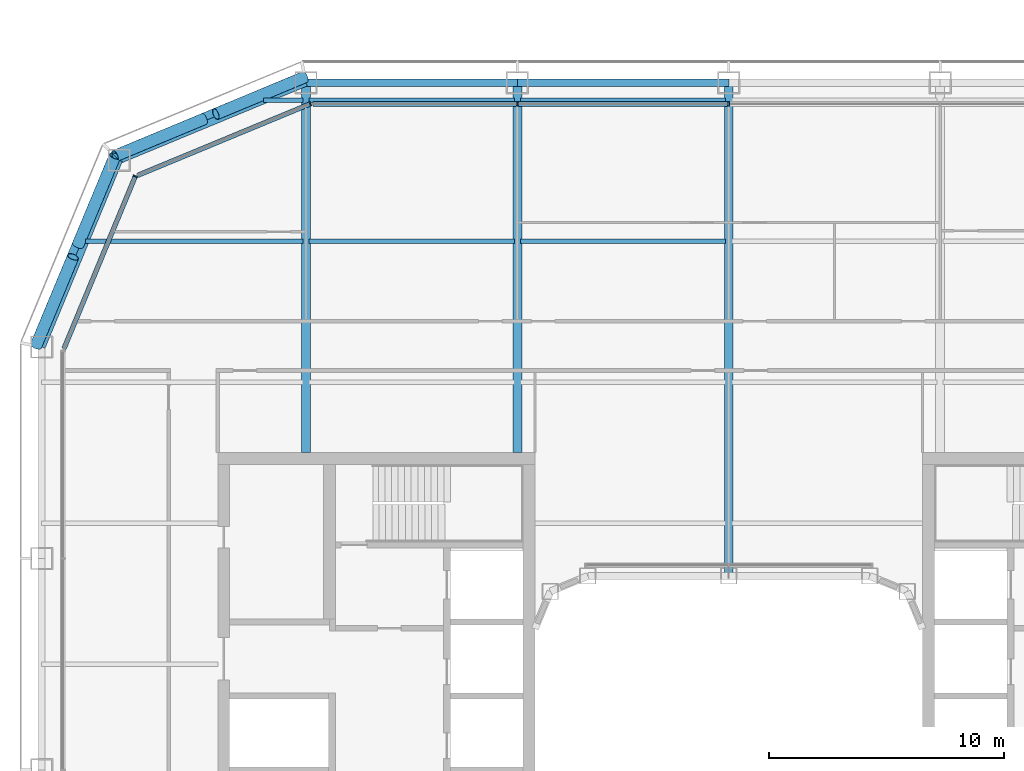
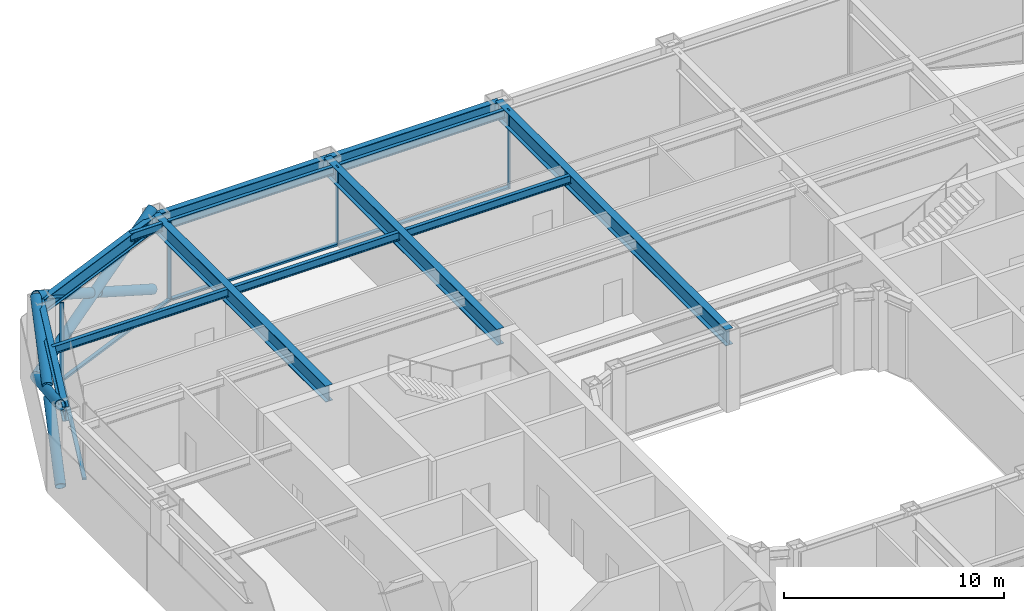
# One storey, part 7 of 24: 14 members, 13 beams, 3 elements without a shape of their own.
"""IFC4 building model written with IfcOpenShell, lengths in metres."""

import ifcopenshell
import ifcopenshell.guid

model = None  # the IFC model being written
_history = None  # IfcOwnerHistory: only IFC2X3 demands one
_inside = {}  # id of a spatial element -> (the spatial element, [elements in it])
_under = {}  # id of a project, library or spatial element -> (it, [spatial elements below it])
_declared = {}  # id of a project -> (the project, [libraries it declares])
_typed = {}  # id of a type object -> (the type object, [elements of that type])
_made_of = {}  # id of a material, layer set ... -> (it, [elements and type objects made of it])


def new_model(schema):
    """Start an empty IFC model of exactly this schema.

    Asked for "IFC4X3", IfcOpenShell would pick the latest addendum, in which some entities
    have other attributes; the version numbers below select the first issue.
    IFC2X3 requires an IfcOwnerHistory on every rooted entity: one is made here for all.
    """
    global model, _history
    if schema == "IFC4X3":
        model = ifcopenshell.file(schema_version=(4, 3, 0, 0))
    else:
        model = ifcopenshell.file(schema=schema)
    _inside.clear()
    _under.clear()
    _declared.clear()
    _typed.clear()
    _made_of.clear()
    _history = None
    if model.schema == "IFC2X3":
        org = make("IfcOrganization", Name="unknown")
        user = make(
            "IfcPersonAndOrganization",
            ThePerson=make("IfcPerson", FamilyName="unknown"),
            TheOrganization=org,
        )
        app = make(
            "IfcApplication",
            ApplicationDeveloper=org,
            Version="unknown",
            ApplicationFullName="unknown",
            ApplicationIdentifier="unknown",
        )
        _history = make(
            "IfcOwnerHistory",
            OwningUser=user,
            OwningApplication=app,
            ChangeAction="ADDED",
            CreationDate=0,
        )
    return model


def make(cls, **values):
    """One entity of the class cls with the attributes given. An attribute that is None is left unset."""
    return model.create_entity(
        cls, **{name: value for name, value in values.items() if value is not None}
    )


def rooted(cls, **values):
    """An entity with a GlobalId (a new one), such as an element, a storey or a relation."""
    return make(cls, GlobalId=ifcopenshell.guid.new(), OwnerHistory=_history, **values)


def si_unit(unit_type, name, prefix=None):
    """IfcSIUnit, for example si_unit("LENGTHUNIT", "METRE", prefix="MILLI")."""
    return make("IfcSIUnit", UnitType=unit_type, Prefix=prefix, Name=name)


def assignment(units):
    """IfcUnitAssignment: the units of a project."""
    return None if units is None else make("IfcUnitAssignment", Units=units)


def point(xyz):
    """IfcCartesianPoint."""
    return None if xyz is None else make("IfcCartesianPoint", Coordinates=xyz)


def direction(xyz):
    """IfcDirection."""
    return None if xyz is None else make("IfcDirection", DirectionRatios=xyz)


def frame(location, z_axis=None, x_axis=None):
    """IfcAxis2Placement3D, a coordinate frame: its origin and axes. An axis left out is left unset."""
    return make(
        "IfcAxis2Placement3D",
        Location=point(location),
        Axis=direction(z_axis),
        RefDirection=direction(x_axis),
    )


def frame_2d(location, x_axis=None):
    """IfcAxis2Placement2D, a coordinate frame in the plane: its origin and x axis."""
    return make(
        "IfcAxis2Placement2D", Location=point(location), RefDirection=direction(x_axis)
    )


def origin():
    """The frame at (0, 0, 0) with its axes left unset."""
    return frame((0.0, 0.0, 0.0))


def origin_2d():
    """The frame at (0, 0) in the plane with its x axis left unset."""
    return frame_2d((0.0, 0.0))


def place(relative_to, where):
    """IfcLocalPlacement: puts the frame where relative to a parent placement (None: the world)."""
    return make(
        "IfcLocalPlacement", PlacementRelTo=relative_to, RelativePlacement=where
    )


def context(
    kind, dimensions, precision=None, world=None, true_north=None, identifier=None
):
    """IfcGeometricRepresentationContext, for example the 3D "Model" context."""
    return make(
        "IfcGeometricRepresentationContext",
        ContextIdentifier=identifier,
        ContextType=kind,
        CoordinateSpaceDimension=dimensions,
        Precision=precision,
        WorldCoordinateSystem=world,
        TrueNorth=true_north,
    )


def subcontext(parent, identifier, kind, view, scale=None):
    """IfcGeometricRepresentationSubContext, for example "Body" below "Model"."""
    return make(
        "IfcGeometricRepresentationSubContext",
        ContextIdentifier=identifier,
        ContextType=kind,
        ParentContext=parent,
        TargetScale=scale,
        TargetView=view,
    )


def project(units=None, contexts=None):
    """IfcProject with its units and contexts."""
    return rooted(
        "IfcProject",
        Name="project",
        RepresentationContexts=contexts,
        UnitsInContext=assignment(units),
    )


def spatial(cls, under=None, at=None, **own):
    """A site, building, storey or space (cls), placed at a placement, below another one or the project."""
    s = rooted(cls, ObjectPlacement=at, **own)
    if under is not None:
        _under.setdefault(under.id(), (under, []))[1].append(s)
    return s


def profile(cls, at=None, kind="AREA", **sizes):
    """A parametric profile (cls). Its sizes go by their IFC names, for example OverallWidth=200.0."""
    return make(cls, ProfileType=kind, Position=at, **sizes)


def rectangle(**sizes):
    """IfcRectangleProfileDef."""
    return profile("IfcRectangleProfileDef", **sizes)


def hollow_circle(**sizes):
    """IfcCircleHollowProfileDef."""
    return profile("IfcCircleHollowProfileDef", **sizes)


def i_section(**sizes):
    """IfcIShapeProfileDef."""
    return profile("IfcIShapeProfileDef", **sizes)


def extrude(swept, where, along, depth):
    """IfcExtrudedAreaSolid: the profile swept, set in the frame where, extruded along a direction by depth."""
    return make(
        "IfcExtrudedAreaSolid",
        SweptArea=swept,
        Position=where,
        ExtrudedDirection=direction(along),
        Depth=depth,
    )


def shape(context_of_items, identifier, shape_type, items):
    """IfcShapeRepresentation: the items that make up one representation, for example the "Body"."""
    return make(
        "IfcShapeRepresentation",
        ContextOfItems=context_of_items,
        RepresentationIdentifier=identifier,
        RepresentationType=shape_type,
        Items=items,
    )


def material(Name=None, Category=None):
    """IfcMaterial."""
    return make("IfcMaterial", Name=Name, Category=Category)


def layer(
    of_material, thickness, ventilated=None, Name=None, Category=None, Priority=None
):
    """IfcMaterialLayer: one layer of a wall or slab, of a material (None: an air gap)."""
    return make(
        "IfcMaterialLayer",
        Material=of_material,
        LayerThickness=thickness,
        IsVentilated=ventilated,
        Name=Name,
        Category=Category,
        Priority=Priority,
    )


def layer_set(layers, Name=None):
    """IfcMaterialLayerSet."""
    return make("IfcMaterialLayerSet", MaterialLayers=layers, LayerSetName=Name)


def material_profile(
    of_material, cross_section, Name=None, Category=None, Priority=None
):
    """IfcMaterialProfile: a cross section and its material."""
    return make(
        "IfcMaterialProfile",
        Name=Name,
        Material=of_material,
        Profile=cross_section,
        Priority=Priority,
        Category=Category,
    )


def profile_set(profiles, Name=None, composite=None):
    """IfcMaterialProfileSet."""
    return make(
        "IfcMaterialProfileSet",
        Name=Name,
        MaterialProfiles=profiles,
        CompositeProfile=composite,
    )


def made_of(thing, what):
    """Note that an element or type object is made of a material, layer set ...; save() writes the relation."""
    if what is not None:
        _made_of.setdefault(what.id(), (what, []))[1].append(thing)
    return thing


def type_object(cls, material=None, **own):
    """A type object (cls), such as IfcWallType, which elements share."""
    return made_of(rooted(cls, **own), material)


def element(
    cls,
    number,
    at=None,
    inside=None,
    cuts=None,
    type_object=None,
    material=None,
    context=None,
    identifier="Body",
    shape_type=None,
    held_by="IfcProductDefinitionShape",
    body=None,
    shapes=None,
    **own,
):
    """One element of the class cls, such as IfcWall. Its Tag is "e" and its number.

    at: its placement. inside: the storey or other place that contains it. cuts: it is an
    opening in that element (IfcRelVoidsElement). A single representation is given by context,
    identifier, shape_type and body (its items); several are given by shapes. held_by: the class
    of the entity that holds the representations. save() writes the other relations.
    """
    e = rooted(cls, Tag="e%d" % number, ObjectPlacement=at, **own)
    if body is not None:
        shapes = [shape(context, identifier, shape_type, body)]
    if shapes is not None:
        e.Representation = make(held_by, Representations=shapes)
    if inside is not None:
        _inside.setdefault(inside.id(), (inside, []))[1].append(e)
    if cuts is not None:
        rooted(
            "IfcRelVoidsElement", RelatingBuildingElement=cuts, RelatedOpeningElement=e
        )
    if type_object is not None:
        _typed.setdefault(type_object.id(), (type_object, []))[1].append(e)
    return made_of(e, material)


def aggregate(whole, parts):
    """IfcRelAggregates: a whole, such as a stair, and the parts it consists of."""
    return rooted("IfcRelAggregates", RelatingObject=whole, RelatedObjects=parts)


def save(model, path):
    """Write the relations noted so far, then the file.

    IfcRelAggregates (storeys below a building ...), IfcRelContainedInSpatialStructure (elements
    in a storey), IfcRelDefinesByType, IfcRelAssociatesMaterial and IfcRelDeclares: one each for
    every whole, place, type object, material and project.
    """
    for whole, parts in _under.values():
        aggregate(whole, parts)
    for where, things in _inside.values():
        rooted(
            "IfcRelContainedInSpatialStructure",
            RelatedElements=things,
            RelatingStructure=where,
        )
    for kind, things in _typed.values():
        rooted("IfcRelDefinesByType", RelatedObjects=things, RelatingType=kind)
    for what, things in _made_of.values():
        rooted("IfcRelAssociatesMaterial", RelatedObjects=things, RelatingMaterial=what)
    for by, libraries in _declared.values():
        rooted("IfcRelDeclares", RelatingContext=by, RelatedDefinitions=libraries)
    model.write(path)


model = new_model("IFC4")

# Units and contexts
model_context = context("Model", 3, precision=1e-05, world=origin(), true_north=direction((0.0, 1.0)))
body_context = subcontext(model_context, "Body", "Model", "MODEL_VIEW")
ifc_project = project(units=[si_unit("LENGTHUNIT", "METRE"), si_unit("AREAUNIT", "SQUARE_METRE"), si_unit("VOLUMEUNIT", "CUBIC_METRE"), si_unit("PLANEANGLEUNIT", "RADIAN"), si_unit("MASSUNIT", "GRAM", prefix="KILO")], contexts=[model_context])

# Site, building, storey
site_placement = place(None, origin())
site = spatial("IfcSite", under=ifc_project, at=site_placement, CompositionType="ELEMENT")
building_placement = place(site_placement, origin())
building = spatial("IfcBuilding", under=site, at=building_placement, Name="Siwar Civic Tower", CompositionType="ELEMENT")
storey_placement = place(building_placement, frame((0.0, 0.0, 113.699951171875)))
storey = spatial("IfcBuildingStorey", under=building, at=storey_placement, Name="L24", CompositionType="ELEMENT", Elevation=113.699951171875)

# Curtain wall, members
ifc_material_1 = material(Name="Aluminium and glass", Category="aluminium")
ifc_layer_1 = layer(ifc_material_1, 0.199951171875)
ifc_layer_set_1 = layer_set([ifc_layer_1], Name="Aluminium and glass")
curtain_wall_type_1 = type_object("IfcCurtainWallType", Name="ENV-CW-B", PredefinedType="NOTDEFINED", material=ifc_layer_set_1)
curtain_wall_1_placement = place(storey_placement, origin())
curtain_wall_1 = element("IfcCurtainWall", 1, at=curtain_wall_1_placement, inside=storey, type_object=curtain_wall_type_1, Name="Curtain wall B N", PredefinedType="NOTDEFINED")
ifc_material_2 = material(Name="Aluminium 6063-T6", Category="aluminium")
ifc_material_profile_1 = material_profile(ifc_material_2, rectangle(XDim=0.199951171875, YDim=0.06494140625, at=origin_2d()), Name="AL 200x65")
ifc_profile_set_1 = profile_set([ifc_material_profile_1], Name="Aluminium 6063-T6")
member_type_1 = type_object("IfcMemberType", Name="ENV-MULLION-B", PredefinedType="MULLION", material=ifc_profile_set_1)
member_1_placement = place(storey_placement, frame((0.0, 28.35009765625, 0.0), z_axis=(0.0, 0.0, 1.0), x_axis=(0.0, -1.0, 0.0)))
member_1 = element("IfcMember", 2, at=member_1_placement, type_object=member_type_1, Name="Mullion B N 3", PredefinedType="MULLION", context=body_context, shape_type="SweptSolid", body=[
    extrude(rectangle(XDim=0.199951171875, YDim=0.06494140625, at=origin_2d()), origin(), (0.0, 0.0, 1.0), 4.35009765625),
])
member_2_placement = place(storey_placement, frame((-9.0, 28.35009765625, 0.0), z_axis=(0.0, 0.0, 1.0), x_axis=(0.0, -1.0, 0.0)))
member_2 = element("IfcMember", 3, at=member_2_placement, type_object=member_type_1, Name="Mullion B N 4", PredefinedType="MULLION", context=body_context, shape_type="SweptSolid", body=[
    extrude(rectangle(XDim=0.199951171875, YDim=0.06494140625, at=origin_2d()), origin(), (0.0, 0.0, 1.0), 4.35009765625),
])

# Curtain wall, member
ifc_material_3 = material(Name="Aluminium clad insulated panel", Category="aluminium")
ifc_layer_2 = layer(ifc_material_3, 0.199951171875)
ifc_layer_set_2 = layer_set([ifc_layer_2], Name="Aluminium clad insulated panel")
curtain_wall_type_2 = type_object("IfcCurtainWallType", Name="ENV-CW-BX", PredefinedType="NOTDEFINED", material=ifc_layer_set_2)
curtain_wall_2_placement = place(storey_placement, origin())
curtain_wall_2 = element("IfcCurtainWall", 4, at=curtain_wall_2_placement, inside=storey, type_object=curtain_wall_type_2, Name="Curtain wall B NW1", PredefinedType="NOTDEFINED")
member_3_placement = place(storey_placement, frame((-17.821044921875, 28.35009765625, 0.0), z_axis=(0.0, 0.0, 1.0), x_axis=(0.382683432365, -0.923879532511, 0.0)))
member_3 = element("IfcMember", 5, at=member_3_placement, type_object=member_type_1, Name="Mullion B NW1 1", PredefinedType="MULLION", context=body_context, shape_type="SweptSolid", body=[
    extrude(rectangle(XDim=0.199951171875, YDim=0.06494140625, at=origin_2d()), origin(), (0.0, 0.0, 1.0), 4.35009765625),
])

curtain_wall_3_placement = place(storey_placement, origin())
curtain_wall_3 = element("IfcCurtainWall", 6, at=curtain_wall_3_placement, inside=storey, type_object=curtain_wall_type_2, Name="Curtain wall B NW2", PredefinedType="NOTDEFINED")
member_4_placement = place(storey_placement, frame((-25.26611328125, 25.26611328125, 0.0), z_axis=(0.0, 0.0, 1.0), x_axis=(0.923879532511, -0.382683432365, 0.0)))
member_4 = element("IfcMember", 7, at=member_4_placement, type_object=member_type_1, Name="Mullion B NW2 1", PredefinedType="MULLION", context=body_context, shape_type="SweptSolid", body=[
    extrude(rectangle(XDim=0.199951171875, YDim=0.06494140625, at=origin_2d()), origin(), (0.0, 0.0, 1.0), 4.35009765625),
])

# Member
ifc_material_4 = material(Name="Aluminium 6063-T6", Category="aluminium")
ifc_material_profile_2 = material_profile(ifc_material_4, rectangle(XDim=0.199951171875, YDim=0.110107421875, at=origin_2d()), Name="AL 200x110")
ifc_profile_set_2 = profile_set([ifc_material_profile_2], Name="Aluminium 6063-T6")
member_type_2 = type_object("IfcMemberType", Name="ENV-TRANSOM-B", PredefinedType="USERDEFINED", material=ifc_profile_set_2)
member_5_placement = place(storey_placement, frame((-0.032470703125, 28.35009765625, 0.054931640625), z_axis=(-1.0, 0.0, 0.0), x_axis=(0.0, -1.0, 0.0)))
member_5 = element("IfcMember", 8, at=member_5_placement, type_object=member_type_2, Name="Transom B N 3", ObjectType="TRANSOM", PredefinedType="USERDEFINED", context=body_context, shape_type="SweptSolid", body=[
    extrude(rectangle(XDim=0.199951171875, YDim=0.110107421875, at=origin_2d()), origin(), (0.0, 0.0, 1.0), 8.93505859375),
])

member_6_placement = place(storey_placement, frame((-9.032470703125, 28.35009765625, 0.054931640625), z_axis=(-1.0, 0.0, 0.0), x_axis=(0.0, -1.0, 0.0)))
member_6 = element("IfcMember", 9, at=member_6_placement, type_object=member_type_2, Name="Transom B N 4", ObjectType="TRANSOM", PredefinedType="USERDEFINED", context=body_context, shape_type="SweptSolid", body=[
    extrude(rectangle(XDim=0.199951171875, YDim=0.110107421875, at=origin_2d()), origin(), (0.0, 0.0, 1.0), 8.6748046875),
])

aggregate(curtain_wall_1, [member_1, member_2, member_5, member_6])

member_7_placement = place(storey_placement, frame((-17.85107421875, 28.337646484375, 0.054931640625), z_axis=(-0.92387279587, -0.382699695651, 0.0), x_axis=(0.382699695651, -0.92387279587, 0.0)))
member_7 = element("IfcMember", 10, at=member_7_placement, type_object=member_type_2, Name="Transom B NW1 1", ObjectType="TRANSOM", PredefinedType="USERDEFINED", context=body_context, shape_type="SweptSolid", body=[
    extrude(rectangle(XDim=0.199951171875, YDim=0.110107421875, at=origin_2d()), origin(), (0.0, 0.0, 1.0), 7.912353515625),
])

aggregate(curtain_wall_2, [member_3, member_7])

member_8_placement = place(storey_placement, frame((-25.278564453125, 25.236083984375, 0.054931640625), z_axis=(-0.382673358825, -0.923883705044, 0.0), x_axis=(0.923883705044, -0.382673358825, 0.0)))
member_8 = element("IfcMember", 11, at=member_8_placement, type_object=member_type_2, Name="Transom B NW2 1", ObjectType="TRANSOM", PredefinedType="USERDEFINED", context=body_context, shape_type="SweptSolid", body=[
    extrude(rectangle(XDim=0.199951171875, YDim=0.110107421875, at=origin_2d()), origin(), (0.0, 0.0, 1.0), 7.912353515625),
])

aggregate(curtain_wall_3, [member_4, member_8])

# Members
ifc_material_5 = material(Name="Steel S355", Category="steel")
ifc_material_profile_3 = material_profile(ifc_material_5, hollow_circle(Radius=0.25390625, WallThickness=0.02490234375, at=origin_2d()), Name="CHS508x25")
ifc_profile_set_3 = profile_set([ifc_material_profile_3], Name="Steel S355")
member_type_3 = type_object("IfcMemberType", Name="STR-BR-CHS508x25", PredefinedType="BRACE", material=ifc_profile_set_3)
member_9_placement = place(storey_placement, frame((-26.1318359375, 26.1318359375, 0.0), z_axis=(-0.341671493852, -0.821142553604, 0.457149315816), x_axis=(0.923264922524, -0.384163874976, 0.0)))
element("IfcMember", 12, at=member_9_placement, inside=storey, type_object=member_type_3, Name="L24/brc/BNW1-3-0-1", PredefinedType="BRACE", context=body_context, shape_type="SweptSolid", body=[
    extrude(hollow_circle(Radius=0.25390625, WallThickness=0.02490234375, at=origin_2d()), origin(), (0.0, 0.0, 1.0), 9.843505859375),
])
for number, where, z_axis, x_axis, name in (
    (13, (-29.4951171875, 18.048828125, 0.0), (0.341677318012, 0.821126041429, 0.457174621391), (-0.923259859753, 0.384176042158, 0.0), "L24/brc/BNW1-3-0-2"),
    (14, (-27.70849609375, 22.342529296875, 2.390625), (0.341670737976, 0.821163134736, 0.457112910516), (-0.923268638995, 0.384154943021, 0.0), "L24/brc/BNW1-3-0-3"),
):
    element("IfcMember", number, at=place(storey_placement, frame(where, z_axis=z_axis, x_axis=x_axis)), inside=storey, type_object=member_type_3, Name=name, PredefinedType="BRACE", context=body_context, shape_type="SweptSolid", body=[
        extrude(hollow_circle(Radius=0.25390625, WallThickness=0.02490234375, at=origin_2d()), origin(), (0.0, 0.0, 1.0), 4.614501953125),
    ])
member_10_placement = place(storey_placement, frame((-26.1318359375, 26.1318359375, 0.0), z_axis=(0.821142553604, 0.341671493852, 0.457149315816), x_axis=(-0.384163874976, 0.923264922524, 0.0)))
element("IfcMember", 15, at=member_10_placement, inside=storey, type_object=member_type_3, Name="L24/brc/BNW1-3-0-0", PredefinedType="BRACE", context=body_context, shape_type="SweptSolid", body=[
    extrude(hollow_circle(Radius=0.25390625, WallThickness=0.02490234375, at=origin_2d()), origin(), (0.0, 0.0, 1.0), 9.843505859375),
])
for number, where, z_axis, x_axis, name in (
    (16, (-18.048828125, 29.4951171875, 0.0), (-0.821126041429, -0.341677318012, 0.457174621391), (0.384176042158, -0.923259859753, 0.0), "L24/brc/BNW1-3-0-4"),
    (17, (-22.342529296875, 27.70849609375, 2.390625), (-0.821163134736, -0.341670737976, 0.457112910516), (0.384154943021, -0.923268638995, 0.0), "L24/brc/BNW1-3-0-5"),
):
    element("IfcMember", number, at=place(storey_placement, frame(where, z_axis=z_axis, x_axis=x_axis)), inside=storey, type_object=member_type_3, Name=name, PredefinedType="BRACE", context=body_context, shape_type="SweptSolid", body=[
        extrude(hollow_circle(Radius=0.25390625, WallThickness=0.02490234375, at=origin_2d()), origin(), (0.0, 0.0, 1.0), 4.614501953125),
    ])

# Beams
ifc_material_6 = material(Name="Steel S355", Category="steel")
ifc_material_profile_4 = material_profile(ifc_material_6, i_section(OverallWidth=0.18994140625, OverallDepth=0.449951171875, WebThickness=0.009521484375, FlangeThickness=0.0146484375, FilletRadius=0.02099609375, at=origin_2d()), Name="IPE450")
ifc_profile_set_4 = profile_set([ifc_material_profile_4], Name="Steel S355")
beam_type_1 = type_object("IfcBeamType", Name="STR-FB-IPE450", PredefinedType="JOIST", material=ifc_profile_set_4)
beam_1_placement = place(storey_placement, frame((-27.385986328125, 22.5, 4.125), z_axis=(1.0, 0.0, 0.0), x_axis=(0.0, 1.0, 0.0)))
element("IfcBeam", 18, at=beam_1_placement, inside=storey, type_object=beam_type_1, Name="L24/bm/F037", PredefinedType="JOIST", context=body_context, shape_type="SweptSolid", body=[
    extrude(i_section(OverallWidth=0.18994140625, OverallDepth=0.449951171875, WebThickness=0.009521484375, FlangeThickness=0.0146484375, FilletRadius=0.02099609375, at=origin_2d()), origin(), (0.0, 0.0, 1.0), 9.256103515625),
])
for number, where, z_axis, x_axis, name in (
    (19, (-17.8701171875, 22.5, 4.125), (1.0, 0.0, 0.0), (0.0, 1.0, 0.0), "L24/bm/F038"),
    (20, (-8.8701171875, 22.5, 4.125), (1.0, 0.0, 0.0), (0.0, 1.0, 0.0), "L24/bm/F039"),
):
    element("IfcBeam", number, at=place(storey_placement, frame(where, z_axis=z_axis, x_axis=x_axis)), inside=storey, type_object=beam_type_1, Name=name, PredefinedType="JOIST", context=body_context, shape_type="SweptSolid", body=[
        extrude(i_section(OverallWidth=0.18994140625, OverallDepth=0.449951171875, WebThickness=0.009521484375, FlangeThickness=0.0146484375, FilletRadius=0.02099609375, at=origin_2d()), origin(), (0.0, 0.0, 1.0), 8.740234375),
    ])
beam_2_placement = place(storey_placement, frame((-19.810546875, 28.5, 4.125), z_axis=(1.0, 0.0, 0.0), x_axis=(0.0, 1.0, 0.0)))
element("IfcBeam", 21, at=beam_2_placement, inside=storey, type_object=beam_type_1, Name="L24/bm/F043", PredefinedType="JOIST", context=body_context, shape_type="SweptSolid", body=[
    extrude(i_section(OverallWidth=0.18994140625, OverallDepth=0.449951171875, WebThickness=0.009521484375, FlangeThickness=0.0146484375, FilletRadius=0.02099609375, at=origin_2d()), origin(), (0.0, 0.0, 1.0), 1.6806640625),
])
for number, where, z_axis, x_axis, name in (
    (22, (-17.8701171875, 28.5, 4.125), (1.0, 0.0, 0.0), (0.0, 1.0, 0.0), "L24/bm/F044"),
    (23, (-8.8701171875, 28.5, 4.125), (1.0, 0.0, 0.0), (0.0, 1.0, 0.0), "L24/bm/F045"),
):
    element("IfcBeam", number, at=place(storey_placement, frame(where, z_axis=z_axis, x_axis=x_axis)), inside=storey, type_object=beam_type_1, Name=name, PredefinedType="JOIST", context=body_context, shape_type="SweptSolid", body=[
        extrude(i_section(OverallWidth=0.18994140625, OverallDepth=0.449951171875, WebThickness=0.009521484375, FlangeThickness=0.0146484375, FilletRadius=0.02099609375, at=origin_2d()), origin(), (0.0, 0.0, 1.0), 8.740234375),
    ])
ifc_material_7 = material(Name="Steel S355", Category="steel")
ifc_material_profile_5 = material_profile(ifc_material_7, i_section(OverallWidth=0.3798828125, OverallDepth=0.89990234375, WebThickness=0.01611328125, FlangeThickness=0.035888671875, at=origin_2d()), Name="PG900x380x16x36")
ifc_profile_set_5 = profile_set([ifc_material_profile_5], Name="Steel S355")
beam_type_2 = type_object("IfcBeamType", Name="STR-PG-PG900x380x16x36", PredefinedType="BEAM", material=ifc_profile_set_5)
for number, where, z_axis, x_axis, name in (
    (24, (-18.0, 13.5, 3.900146484375), (0.0, 1.0, 0.0), (-1.0, 0.0, 0.0), "L24/bm/G02"),
    (25, (-9.0, 13.5, 3.900146484375), (0.0, 1.0, 0.0), (-1.0, 0.0, 0.0), "L24/bm/G04"),
):
    element("IfcBeam", number, at=place(storey_placement, frame(where, z_axis=z_axis, x_axis=x_axis)), inside=storey, type_object=beam_type_2, Name=name, PredefinedType="BEAM", context=body_context, shape_type="SweptSolid", body=[
        extrude(i_section(OverallWidth=0.3798828125, OverallDepth=0.89990234375, WebThickness=0.01611328125, FlangeThickness=0.035888671875, at=origin_2d()), origin(), (0.0, 0.0, 1.0), 15.75),
    ])
beam_3_placement = place(storey_placement, frame((0.0, 8.25, 3.900146484375), z_axis=(0.0, 1.0, 0.0), x_axis=(-1.0, 0.0, 0.0)))
element("IfcBeam", 26, at=beam_3_placement, inside=storey, type_object=beam_type_2, Name="L24/bm/G06", PredefinedType="BEAM", context=body_context, shape_type="SweptSolid", body=[
    extrude(i_section(OverallWidth=0.3798828125, OverallDepth=0.89990234375, WebThickness=0.01611328125, FlangeThickness=0.035888671875, at=origin_2d()), origin(), (0.0, 0.0, 1.0), 21.0),
])
ifc_material_8 = material(Name="Steel S355", Category="steel")
ifc_material_profile_6 = material_profile(ifc_material_8, i_section(OverallWidth=0.300048828125, OverallDepth=0.800048828125, WebThickness=0.017578125, FlangeThickness=0.032958984375, FilletRadius=0.030029296875, at=origin_2d()), Name="HEB800")
ifc_profile_set_6 = profile_set([ifc_material_profile_6], Name="Steel S355")
beam_type_3 = type_object("IfcBeamType", Name="STR-SB-HEB800", PredefinedType="BEAM", material=ifc_profile_set_6)
for number, where, z_axis, x_axis, name in (
    (27, (0.0, 29.25, 3.949951171875), (-1.0, 0.0, 0.0), (0.0, -1.0, 0.0), "L24/bm/SN-2"),
    (28, (-9.0, 29.25, 3.949951171875), (-1.0, 0.0, 0.0), (0.0, -1.0, 0.0), "L24/bm/SN-3"),
):
    element("IfcBeam", number, at=place(storey_placement, frame(where, z_axis=z_axis, x_axis=x_axis)), inside=storey, type_object=beam_type_3, Name=name, PredefinedType="BEAM", context=body_context, shape_type="SweptSolid", body=[
        extrude(i_section(OverallWidth=0.300048828125, OverallDepth=0.800048828125, WebThickness=0.017578125, FlangeThickness=0.032958984375, FilletRadius=0.030029296875, at=origin_2d()), origin(), (0.0, 0.0, 1.0), 9.0),
    ])
for number, where, z_axis, x_axis, name in (
    (29, (-18.0, 29.25, 3.949951171875), (-0.923872720536, -0.382699877515, 0.0), (0.382699877515, -0.923872720536, 0.0), "L24/bm/SNW1-0"),
    (30, (-25.954833984375, 25.954833984375, 3.949951171875), (-0.382699877515, -0.923872720536, 0.0), (0.923872720536, -0.382699877515, 0.0), "L24/bm/SNW2-0"),
):
    element("IfcBeam", number, at=place(storey_placement, frame(where, z_axis=z_axis, x_axis=x_axis)), inside=storey, type_object=beam_type_3, Name=name, PredefinedType="BEAM", context=body_context, shape_type="SweptSolid", body=[
        extrude(i_section(OverallWidth=0.300048828125, OverallDepth=0.800048828125, WebThickness=0.017578125, FlangeThickness=0.032958984375, FilletRadius=0.030029296875, at=origin_2d()), origin(), (0.0, 0.0, 1.0), 8.6103515625),
    ])

save(model, "model.ifc")
